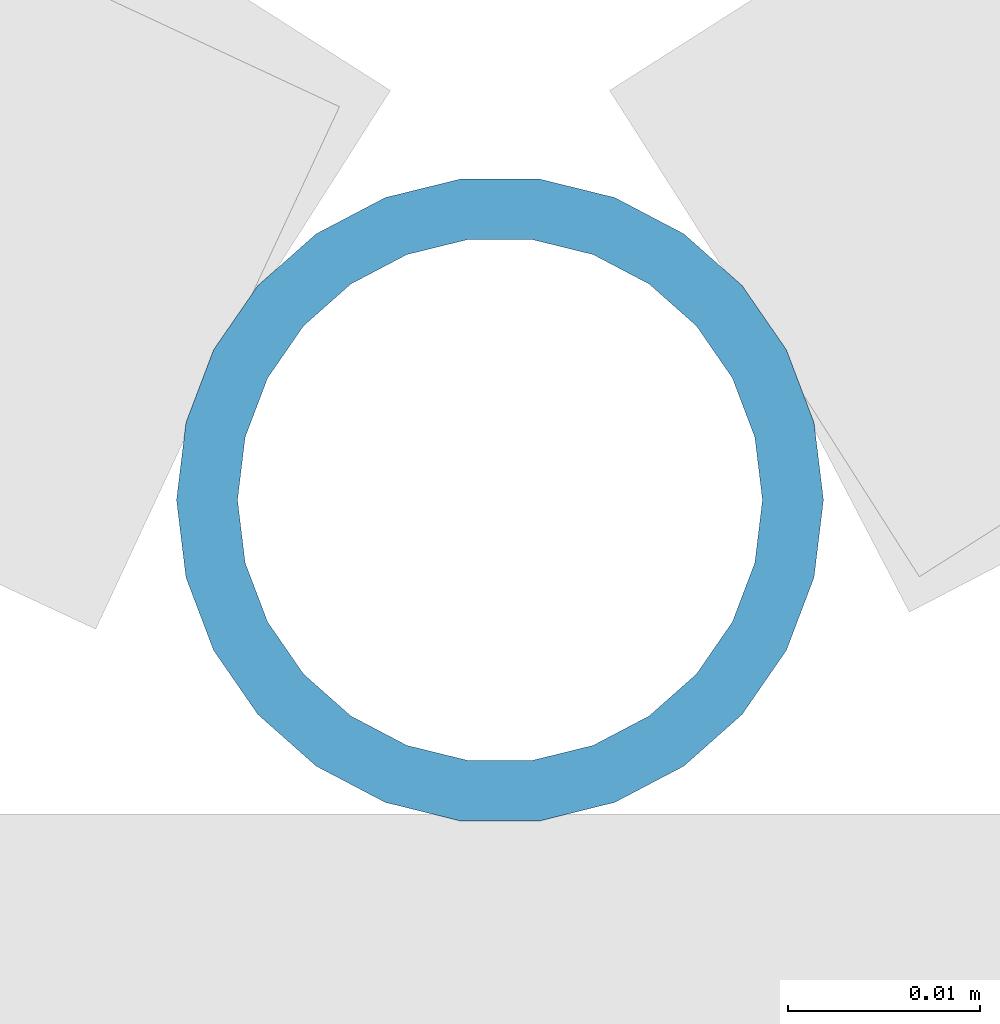
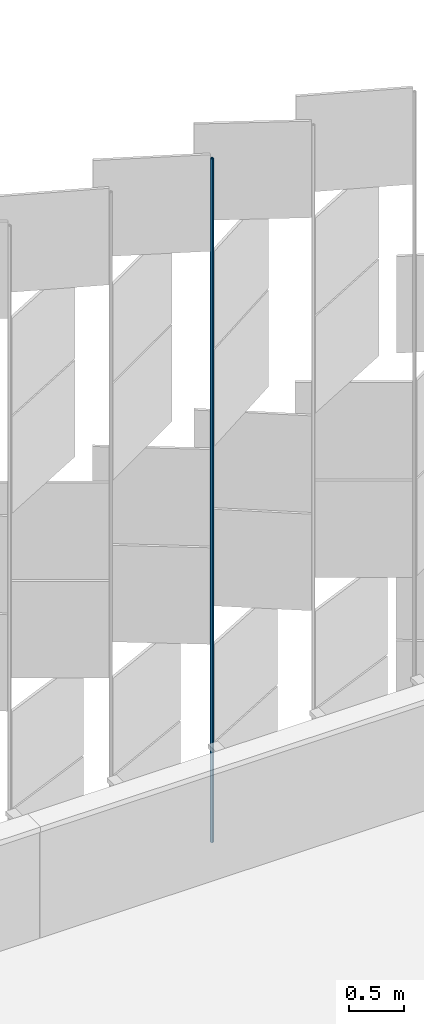
# One storey, part 359 of 483: 1 discrete accessory.
"""IFC4 building model written with IfcOpenShell, lengths in metres."""

from ifc_helpers import new_model, si_unit, direction, frame, origin, origin_2d, place, context, subcontext, project, spatial, hollow_circle, extrude, material, material_profile, profile_set, type_object, element, save


model = new_model("IFC4")

# Units and contexts
model_context = context("Model", 3, precision=1e-05, world=origin(), true_north=direction((0.0, 1.0)))
body_context = subcontext(model_context, "Body", "Model", "MODEL_VIEW")
ifc_project = project(units=[si_unit("LENGTHUNIT", "METRE"), si_unit("AREAUNIT", "SQUARE_METRE"), si_unit("VOLUMEUNIT", "CUBIC_METRE"), si_unit("PLANEANGLEUNIT", "RADIAN"), si_unit("MASSUNIT", "GRAM", prefix="KILO")], contexts=[model_context])

# Site, building, storey
site_placement = place(None, origin())
site = spatial("IfcSite", under=ifc_project, at=site_placement, CompositionType="ELEMENT")
building_placement = place(site_placement, origin())
building = spatial("IfcBuilding", under=site, at=building_placement, Name="Parallax Yard Mobility Hub", CompositionType="ELEMENT")
storey_placement = place(building_placement, frame((0.0, 0.0, 13.199951171875)))
storey = spatial("IfcBuildingStorey", under=building, at=storey_placement, Name="L04", CompositionType="ELEMENT", Elevation=13.199951171875)

# Discrete accessory
ifc_material = material(Name="Steel ASTM A500 Gr C, hot-dip galvanised", Category="steel")
ifc_material_profile = material_profile(ifc_material, hollow_circle(Radius=0.016845703125, WallThickness=0.003173828125, at=origin_2d()), Name="CHS 33.7x3.2")
ifc_profile_set = profile_set([ifc_material_profile], Name="Steel ASTM A500 Gr C, hot-dip galvanised")
discrete_accessory_type = type_object("IfcDiscreteAccessoryType", Name="Hinge post CHS 33.7x3.2", PredefinedType="BRACKET", material=ifc_profile_set)
discrete_accessory_placement = place(storey_placement, frame((129.6396484375, 142.800048828125, 0.0), z_axis=(0.0, 0.0, 1.0), x_axis=(1.0, 0.0, 0.0)))
element("IfcDiscreteAccessory", 1, at=discrete_accessory_placement, inside=storey, type_object=discrete_accessory_type, Name="Hinge post bay 56.6 level L04", PredefinedType="BRACKET", context=body_context, shape_type="SweptSolid", body=[
    extrude(hollow_circle(Radius=0.016845703125, WallThickness=0.003173828125, at=origin_2d()), origin(), (0.0, 0.0, 1.0), 7.650146484375),
])

save(model, "model.ifc")
